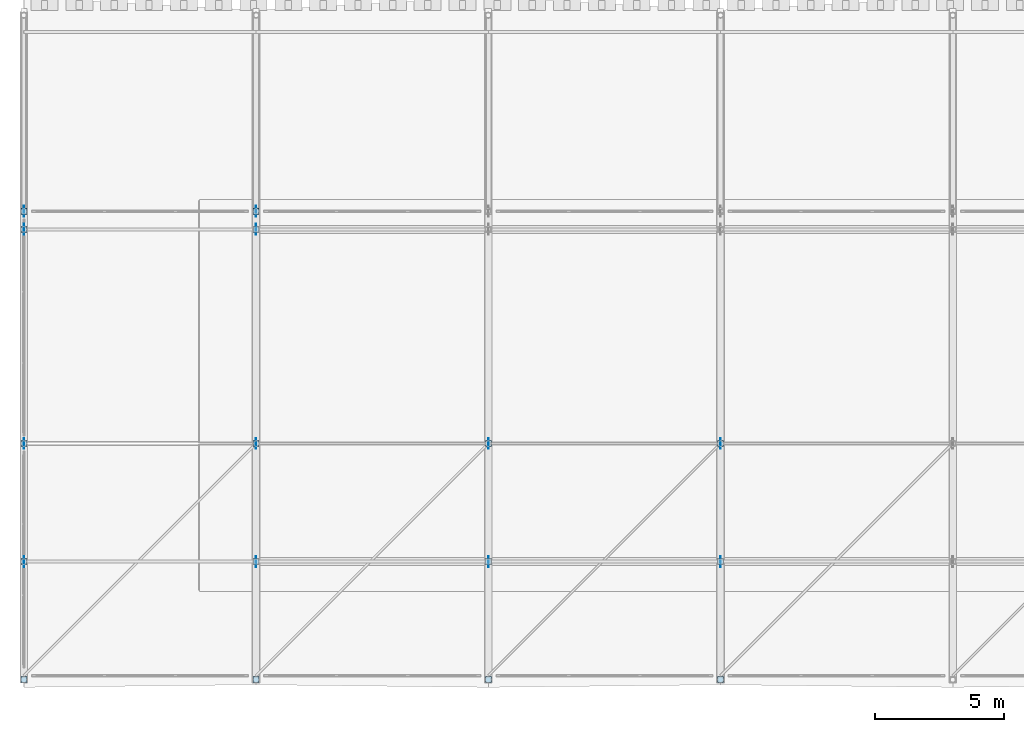
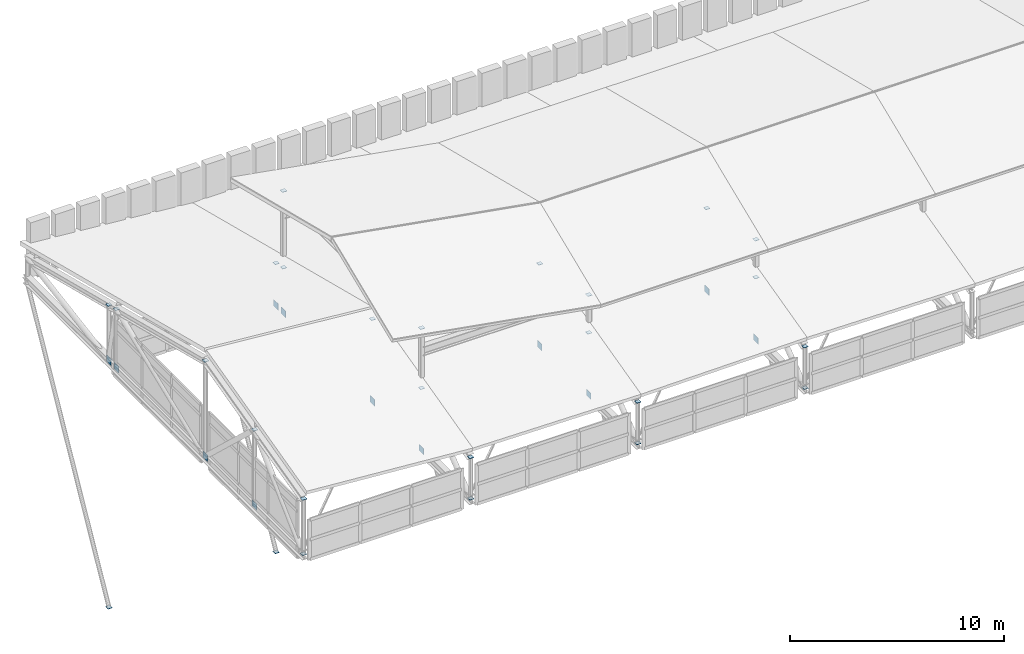
# One storey, part 34 of 42: 38 plates.
"""IFC4 building model written with IfcOpenShell, lengths in metres."""

from ifc_helpers import new_model, si_unit, direction, frame, origin, origin_2d, place, context, subcontext, project, spatial, rectangle, extrude, material, layer, layer_set, type_object, element, save


model = new_model("IFC4")

# Units and contexts
model_context = context("Model", 3, precision=1e-05, world=origin(), true_north=direction((0.0, 1.0)))
body_context = subcontext(model_context, "Body", "Model", "MODEL_VIEW")
ifc_project = project(units=[si_unit("LENGTHUNIT", "METRE"), si_unit("AREAUNIT", "SQUARE_METRE"), si_unit("VOLUMEUNIT", "CUBIC_METRE"), si_unit("PLANEANGLEUNIT", "RADIAN"), si_unit("MASSUNIT", "GRAM", prefix="KILO")], contexts=[model_context])

# Site, building, storey
site_placement = place(None, origin())
site = spatial("IfcSite", under=ifc_project, at=site_placement, CompositionType="ELEMENT")
building_placement = place(site_placement, origin())
building = spatial("IfcBuilding", under=site, at=building_placement, Name="Bozkorgan Art Gallery", CompositionType="ELEMENT")
storey_placement = place(building_placement, frame((0.0, 0.0, 28.800048828125)))
storey = spatial("IfcBuildingStorey", under=building, at=storey_placement, Name="RF", CompositionType="ELEMENT", Elevation=28.800048828125)

# Plates
ifc_material = material(Name="Steel S355J2", Category="steel")
ifc_layer_1 = layer(ifc_material, 0.01611328125, Name="Steel S355J2")
ifc_layer_set_1 = layer_set([ifc_layer_1], Name="Steel S355J2")
plate_type_1 = type_object("IfcPlateType", Name="PLATE-EC-05", PredefinedType="USERDEFINED", material=ifc_layer_set_1)
for number, where, z_axis, x_axis, name in (
    (1, (2.0, 1.85009765625, 3.382568359375), (0.0, 0.0, 1.0), (1.0, 0.0, 0.0), "Truss V1 post cap 1.0"),
    (2, (2.0, 1.85009765625, 0.241943359375), (0.0, 0.0, 1.0), (1.0, 0.0, 0.0), "Truss V1 post base cap 1.0"),
    (3, (2.0, 6.425048828125, 4.540283203125), (0.0, 0.0, 1.0), (1.0, 0.0, 0.0), "Truss V1 post cap 1.1"),
    (4, (2.0, 11.0, 5.697998046875), (0.0, 0.0, 1.0), (1.0, 0.0, 0.0), "Truss V1 post cap 1.2"),
    (5, (2.0, 19.300048828125, 3.59765625), (0.0, 0.0, 1.0), (1.0, 0.0, 0.0), "Truss V1 post cap 1.3"),
    (6, (2.0, 20.0, 3.42041015625), (0.0, 0.0, 1.0), (1.0, 0.0, 0.0), "Truss V1 post cap 1.4"),
    (7, (11.0, 1.85009765625, 2.603759765625), (0.0, 0.0, 1.0), (1.0, 0.0, 0.0), "Truss V1 post cap 2.0"),
    (8, (11.0, 1.85009765625, 0.241943359375), (0.0, 0.0, 1.0), (1.0, 0.0, 0.0), "Truss V1 post base cap 2.0"),
    (9, (11.0, 6.425048828125, 3.761474609375), (0.0, 0.0, 1.0), (1.0, 0.0, 0.0), "Truss V1 post cap 2.1"),
    (10, (11.0, 11.0, 4.919189453125), (0.0, 0.0, 1.0), (1.0, 0.0, 0.0), "Truss V1 post cap 2.2"),
    (11, (11.0, 19.300048828125, 2.81884765625), (0.0, 0.0, 1.0), (1.0, 0.0, 0.0), "Truss V1 post cap 2.3"),
    (12, (11.0, 20.0, 2.641845703125), (0.0, 0.0, 1.0), (1.0, 0.0, 0.0), "Truss V1 post cap 2.4"),
    (13, (20.0, 1.85009765625, 2.603759765625), (0.0, 0.0, 1.0), (1.0, 0.0, 0.0), "Truss V1 post cap 3.0"),
    (14, (20.0, 1.85009765625, 0.241943359375), (0.0, 0.0, 1.0), (1.0, 0.0, 0.0), "Truss V1 post base cap 3.0"),
    (15, (20.0, 6.425048828125, 3.761474609375), (0.0, 0.0, 1.0), (1.0, 0.0, 0.0), "Truss V1 post cap 3.1"),
    (16, (20.0, 11.0, 4.919189453125), (0.0, 0.0, 1.0), (1.0, 0.0, 0.0), "Truss V1 post cap 3.2"),
    (17, (29.0, 1.85009765625, 2.603759765625), (0.0, 0.0, 1.0), (1.0, 0.0, 0.0), "Truss V1 post cap 4.0"),
    (18, (29.0, 1.85009765625, 0.241943359375), (0.0, 0.0, 1.0), (1.0, 0.0, 0.0), "Truss V1 post base cap 4.0"),
    (19, (29.0, 6.425048828125, 3.761474609375), (0.0, 0.0, 1.0), (1.0, 0.0, 0.0), "Truss V1 post cap 4.1"),
    (20, (29.0, 11.0, 4.919189453125), (0.0, 0.0, 1.0), (1.0, 0.0, 0.0), "Truss V1 post cap 4.2"),
):
    element("IfcPlate", number, at=place(storey_placement, frame(where, z_axis=z_axis, x_axis=x_axis)), inside=storey, type_object=plate_type_1, Name=name, ObjectType="END CAP PLATE", PredefinedType="USERDEFINED", context=body_context, shape_type="SweptSolid", body=[
        extrude(rectangle(XDim=0.22998046875, YDim=0.22998046875, at=origin_2d()), origin(), (0.0, 0.0, 1.0), 0.01611328125),
    ])
ifc_layer_2 = layer(ifc_material, 0.02001953125, Name="Steel S355J2")
ifc_layer_set_2 = layer_set([ifc_layer_2], Name="Steel S355J2")
plate_type_2 = type_object("IfcPlateType", Name="PLATE-EC-24", PredefinedType="USERDEFINED", material=ifc_layer_set_2)
for number, where, z_axis, x_axis, name in (
    (21, (2.0, 20.0, -13.81005859375), (0.0, 0.0, 1.0), (1.0, 0.0, 0.0), "ROOF-V1-MAIN north swept-eave diagonal tree-strut 1 end cap 1"),
    (22, (11.0, 20.0, -13.81005859375), (0.0, 0.0, 1.0), (1.0, 0.0, 0.0), "ROOF-V1-MAIN north swept-eave diagonal tree-strut 2 end cap 1"),
    (23, (11.0, 6.425048828125, 7.180419921875), (0.0, 0.0, 1.0), (1.0, 0.0, 0.0), "Clerestory V1 post cap 1S"),
    (24, (11.0, 19.300048828125, 7.180419921875), (0.0, 0.0, 1.0), (1.0, 0.0, 0.0), "Clerestory V1 post cap 1N"),
    (25, (20.0, 6.425048828125, 5.9150390625), (0.0, 0.0, 1.0), (1.0, 0.0, 0.0), "Clerestory V1 post cap 2S"),
    (26, (29.0, 6.425048828125, 5.9150390625), (0.0, 0.0, 1.0), (1.0, 0.0, 0.0), "Clerestory V1 post cap 3S"),
):
    element("IfcPlate", number, at=place(storey_placement, frame(where, z_axis=z_axis, x_axis=x_axis)), inside=storey, type_object=plate_type_2, Name=name, ObjectType="END CAP PLATE", PredefinedType="USERDEFINED", context=body_context, shape_type="SweptSolid", body=[
        extrude(rectangle(XDim=0.239990234375, YDim=0.239990234375, at=origin_2d()), origin(), (0.0, 0.0, 1.0), 0.02001953125),
    ])
ifc_layer_3 = layer(ifc_material, 0.02392578125, Name="Steel S355J2")
ifc_layer_set_3 = layer_set([ifc_layer_3], Name="Steel S355J2")
plate_type_3 = type_object("IfcPlateType", Name="PLATE-GP-38", PredefinedType="USERDEFINED", material=ifc_layer_set_3)
for number, where, z_axis, x_axis, name in (
    (27, (2.0, 11.0, 0.06982421875), (0.0, 0.0, 1.0), (1.0, 0.0, 0.0), "Truss V1 span 1 node gusset TN-2"),
    (28, (11.0, 11.0, 0.06982421875), (0.0, 0.0, 1.0), (1.0, 0.0, 0.0), "Truss V1 span 2 node gusset TN-2"),
    (29, (20.0, 11.0, 0.06982421875), (0.0, 0.0, 1.0), (1.0, 0.0, 0.0), "Truss V1 span 3 node gusset TN-2"),
    (30, (29.0, 11.0, 0.06982421875), (0.0, 0.0, 1.0), (1.0, 0.0, 0.0), "Truss V1 span 4 node gusset TN-2"),
):
    element("IfcPlate", number, at=place(storey_placement, frame(where, z_axis=z_axis, x_axis=x_axis)), inside=storey, type_object=plate_type_3, Name=name, ObjectType="GUSSET PLATE", PredefinedType="USERDEFINED", context=body_context, shape_type="SweptSolid", body=[
        extrude(rectangle(XDim=0.02001953125, YDim=0.419921875, at=origin_2d()), origin(), (0.0, 0.0, 1.0), 0.360107421875),
    ])
ifc_layer_4 = layer(ifc_material, 0.02001953125, Name="Steel S355J2")
ifc_layer_set_4 = layer_set([ifc_layer_4], Name="Steel S355J2")
plate_type_4 = type_object("IfcPlateType", Name="PLATE-GP-55", PredefinedType="USERDEFINED", material=ifc_layer_set_4)
for number, where, z_axis, x_axis, name in (
    (31, (2.0, 6.425048828125, 0.06982421875), (0.0, 0.0, 1.0), (1.0, 0.0, 0.0), "Truss V1 span 1 node gusset TN-1"),
    (32, (2.0, 19.300048828125, 0.06982421875), (0.0, 0.0, 1.0), (1.0, 0.0, 0.0), "Truss V1 span 1 node gusset TN-3"),
    (33, (2.0, 20.0, 0.06982421875), (0.0, 0.0, 1.0), (1.0, 0.0, 0.0), "Truss V1 span 1 node gusset TN-4"),
    (34, (11.0, 6.425048828125, 0.06982421875), (0.0, 0.0, 1.0), (1.0, 0.0, 0.0), "Truss V1 span 2 node gusset TN-1"),
    (35, (11.0, 19.300048828125, 0.06982421875), (0.0, 0.0, 1.0), (1.0, 0.0, 0.0), "Truss V1 span 2 node gusset TN-3"),
    (36, (11.0, 20.0, 0.06982421875), (0.0, 0.0, 1.0), (1.0, 0.0, 0.0), "Truss V1 span 2 node gusset TN-4"),
    (37, (20.0, 6.425048828125, 0.06982421875), (0.0, 0.0, 1.0), (1.0, 0.0, 0.0), "Truss V1 span 3 node gusset TN-1"),
    (38, (29.0, 6.425048828125, 0.06982421875), (0.0, 0.0, 1.0), (1.0, 0.0, 0.0), "Truss V1 span 4 node gusset TN-1"),
):
    element("IfcPlate", number, at=place(storey_placement, frame(where, z_axis=z_axis, x_axis=x_axis)), inside=storey, type_object=plate_type_4, Name=name, ObjectType="GUSSET PLATE", PredefinedType="USERDEFINED", context=body_context, shape_type="SweptSolid", body=[
        extrude(rectangle(XDim=0.02001953125, YDim=0.419921875, at=origin_2d()), origin(), (0.0, 0.0, 1.0), 0.360107421875),
    ])

save(model, "model.ifc")
